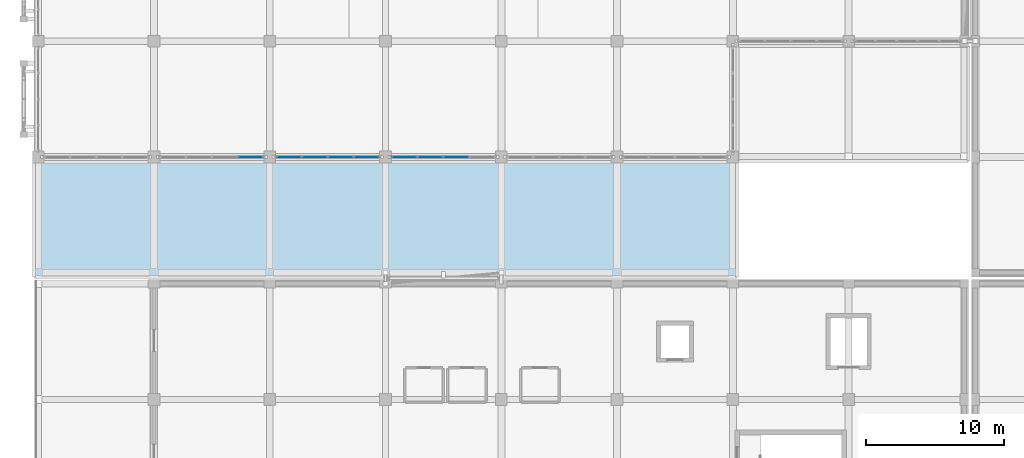
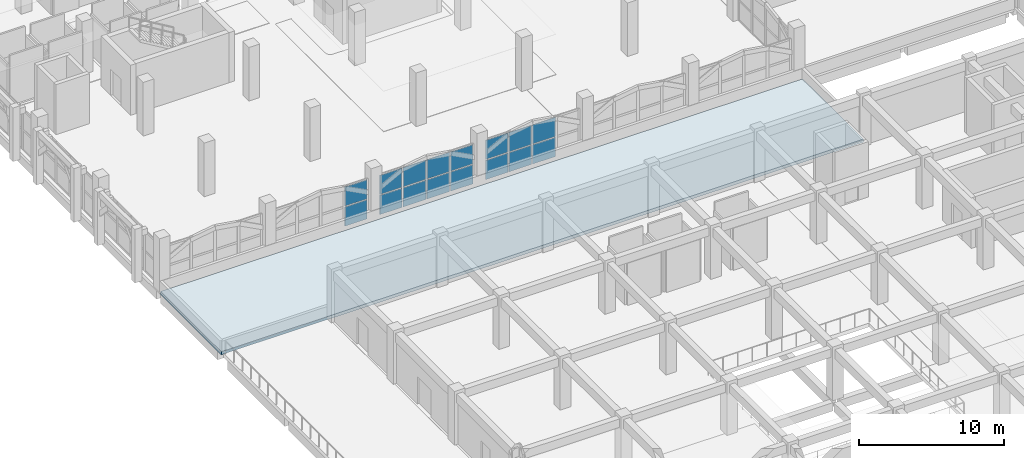
# One storey, part 86 of 129: 16 plates, 1 slab, 3 elements without a shape of their own.
"""IFC4 building model written with IfcOpenShell, lengths in metres."""

from ifc_helpers import new_model, si_unit, direction, frame, origin, origin_2d, place, context, subcontext, project, spatial, polyline, rectangle, outline, extrude, material, layer, layer_set, type_object, element, aggregate, save


model = new_model("IFC4")

# Units and contexts
model_context = context("Model", 3, precision=1e-05, world=origin(), true_north=direction((0.0, 1.0)))
body_context = subcontext(model_context, "Body", "Model", "MODEL_VIEW")
ifc_project = project(units=[si_unit("LENGTHUNIT", "METRE"), si_unit("AREAUNIT", "SQUARE_METRE"), si_unit("VOLUMEUNIT", "CUBIC_METRE"), si_unit("PLANEANGLEUNIT", "RADIAN"), si_unit("MASSUNIT", "GRAM", prefix="KILO")], contexts=[model_context])

# Site, building, storey
site_placement = place(None, origin())
site = spatial("IfcSite", under=ifc_project, at=site_placement, CompositionType="ELEMENT")
building_placement = place(site_placement, origin())
building = spatial("IfcBuilding", under=site, at=building_placement, Name="Xazarin Passage Department Store", CompositionType="ELEMENT")
storey_placement = place(building_placement, frame((0.0, 0.0, 9.89990234375)))
storey = spatial("IfcBuildingStorey", under=building, at=storey_placement, Name="L02", CompositionType="ELEMENT", Elevation=9.89990234375)

# Curtain wall, plates
ifc_material_1 = material(Name="Bronze anodised aluminium", Category="aluminium")
ifc_layer_1 = layer(ifc_material_1, 0.199951171875)
ifc_layer_set_1 = layer_set([ifc_layer_1], Name="Bronze anodised aluminium")
curtain_wall_type = type_object("IfcCurtainWallType", Name="ARC-CW-VIT2", PredefinedType="NOTDEFINED", material=ifc_layer_set_1)
curtain_wall_1_placement = place(storey_placement, origin())
curtain_wall_1 = element("IfcCurtainWall", 1, at=curtain_wall_1_placement, inside=storey, type_object=curtain_wall_type, Name="L02 V1 Curtain Wall 030", PredefinedType="NOTDEFINED")
ifc_material_2 = material(Name="Low-E laminated safety glass", Category="glass")
ifc_layer_2 = layer(ifc_material_2, 0.031982421875)
ifc_layer_set_2 = layer_set([ifc_layer_2], Name="Low-E laminated safety glass")
plate_type = type_object("IfcPlateType", Name="ARC-CWP-GLZ32", PredefinedType="CURTAIN_PANEL", material=ifc_layer_set_2)
plate_1_placement = place(storey_placement, frame((15.41259765625, 59.60009765625, 0.0751953125), z_axis=(0.0, 0.0, 1.0), x_axis=(1.0, 0.0, 0.0)))
plate_1 = element("IfcPlate", 2, at=plate_1_placement, type_object=plate_type, Name="CW2 panel 4.1", PredefinedType="CURTAIN_PANEL", context=body_context, shape_type="SweptSolid", body=[
    extrude(rectangle(XDim=1.77490234375, YDim=0.031982421875, at=origin_2d()), origin(), (0.0, 0.0, 1.0), 1.612548828125),
])
plate_2_placement = place(storey_placement, frame((15.41259765625, 59.60009765625, 1.7626953125), z_axis=(0.0, 0.0, 1.0), x_axis=(1.0, 0.0, 0.0)))
plate_2 = element("IfcPlate", 3, at=plate_2_placement, type_object=plate_type, Name="CW2 panel 4.2", PredefinedType="CURTAIN_PANEL", context=body_context, shape_type="SweptSolid", body=[
    extrude(rectangle(XDim=1.77490234375, YDim=0.031982421875, at=origin_2d()), origin(), (0.0, 0.0, 1.0), 1.612548828125),
])
aggregate(curtain_wall_1, [plate_1, plate_2])

curtain_wall_2_placement = place(storey_placement, origin())
curtain_wall_2 = element("IfcCurtainWall", 4, at=curtain_wall_2_placement, inside=storey, type_object=curtain_wall_type, Name="L02 V1 Curtain Wall 031", PredefinedType="NOTDEFINED")
plate_3_placement = place(storey_placement, frame((18.1875, 59.60009765625, 0.0751953125), z_axis=(0.0, 0.0, 1.0), x_axis=(1.0, 0.0, 0.0)))
plate_3 = element("IfcPlate", 5, at=plate_3_placement, type_object=plate_type, Name="CW2 panel 1.1", PredefinedType="CURTAIN_PANEL", context=body_context, shape_type="SweptSolid", body=[
    extrude(rectangle(XDim=1.77490234375, YDim=0.031982421875, at=origin_2d()), origin(), (0.0, 0.0, 1.0), 1.612548828125),
])
plate_4_placement = place(storey_placement, frame((18.1875, 59.60009765625, 1.7626953125), z_axis=(0.0, 0.0, 1.0), x_axis=(1.0, 0.0, 0.0)))
plate_4 = element("IfcPlate", 6, at=plate_4_placement, type_object=plate_type, Name="CW2 panel 1.2", PredefinedType="CURTAIN_PANEL", context=body_context, shape_type="SweptSolid", body=[
    extrude(rectangle(XDim=1.77490234375, YDim=0.031982421875, at=origin_2d()), origin(), (0.0, 0.0, 1.0), 1.612548828125),
])
plate_5_placement = place(storey_placement, frame((20.05615234375, 59.60009765625, 0.0751953125), z_axis=(0.0, 0.0, 1.0), x_axis=(1.0, 0.0, 0.0)))
plate_5 = element("IfcPlate", 7, at=plate_5_placement, type_object=plate_type, Name="CW2 panel 2.1", PredefinedType="CURTAIN_PANEL", context=body_context, shape_type="SweptSolid", body=[
    extrude(rectangle(XDim=1.8125, YDim=0.031982421875, at=origin_2d()), origin(), (0.0, 0.0, 1.0), 1.612548828125),
])
plate_6_placement = place(storey_placement, frame((20.05615234375, 59.60009765625, 1.7626953125), z_axis=(0.0, 0.0, 1.0), x_axis=(1.0, 0.0, 0.0)))
plate_6 = element("IfcPlate", 8, at=plate_6_placement, type_object=plate_type, Name="CW2 panel 2.2", PredefinedType="CURTAIN_PANEL", context=body_context, shape_type="SweptSolid", body=[
    extrude(rectangle(XDim=1.8125, YDim=0.031982421875, at=origin_2d()), origin(), (0.0, 0.0, 1.0), 1.612548828125),
])
plate_7_placement = place(storey_placement, frame((21.94384765625, 59.60009765625, 0.0751953125), z_axis=(0.0, 0.0, 1.0), x_axis=(1.0, 0.0, 0.0)))
plate_7 = element("IfcPlate", 9, at=plate_7_placement, type_object=plate_type, Name="CW2 panel 3.1", PredefinedType="CURTAIN_PANEL", context=body_context, shape_type="SweptSolid", body=[
    extrude(rectangle(XDim=1.8125, YDim=0.031982421875, at=origin_2d()), origin(), (0.0, 0.0, 1.0), 1.612548828125),
])
plate_8_placement = place(storey_placement, frame((21.94384765625, 59.60009765625, 1.7626953125), z_axis=(0.0, 0.0, 1.0), x_axis=(1.0, 0.0, 0.0)))
plate_8 = element("IfcPlate", 10, at=plate_8_placement, type_object=plate_type, Name="CW2 panel 3.2", PredefinedType="CURTAIN_PANEL", context=body_context, shape_type="SweptSolid", body=[
    extrude(rectangle(XDim=1.8125, YDim=0.031982421875, at=origin_2d()), origin(), (0.0, 0.0, 1.0), 1.612548828125),
])
plate_9_placement = place(storey_placement, frame((23.8125, 59.60009765625, 0.0751953125), z_axis=(0.0, 0.0, 1.0), x_axis=(1.0, 0.0, 0.0)))
plate_9 = element("IfcPlate", 11, at=plate_9_placement, type_object=plate_type, Name="CW2 panel 4.1", PredefinedType="CURTAIN_PANEL", context=body_context, shape_type="SweptSolid", body=[
    extrude(rectangle(XDim=1.77490234375, YDim=0.031982421875, at=origin_2d()), origin(), (0.0, 0.0, 1.0), 1.612548828125),
])
plate_10_placement = place(storey_placement, frame((23.8125, 59.60009765625, 1.7626953125), z_axis=(0.0, 0.0, 1.0), x_axis=(1.0, 0.0, 0.0)))
plate_10 = element("IfcPlate", 12, at=plate_10_placement, type_object=plate_type, Name="CW2 panel 4.2", PredefinedType="CURTAIN_PANEL", context=body_context, shape_type="SweptSolid", body=[
    extrude(rectangle(XDim=1.77490234375, YDim=0.031982421875, at=origin_2d()), origin(), (0.0, 0.0, 1.0), 1.612548828125),
])
aggregate(curtain_wall_2, [plate_3, plate_4, plate_5, plate_6, plate_7, plate_8, plate_9, plate_10])

curtain_wall_3_placement = place(storey_placement, origin())
curtain_wall_3 = element("IfcCurtainWall", 13, at=curtain_wall_3_placement, inside=storey, type_object=curtain_wall_type, Name="L02 V1 Curtain Wall 032", PredefinedType="NOTDEFINED")
plate_11_placement = place(storey_placement, frame((26.58740234375, 59.60009765625, 0.0751953125), z_axis=(0.0, 0.0, 1.0), x_axis=(1.0, 0.0, 0.0)))
plate_11 = element("IfcPlate", 14, at=plate_11_placement, type_object=plate_type, Name="CW2 panel 1.1", PredefinedType="CURTAIN_PANEL", context=body_context, shape_type="SweptSolid", body=[
    extrude(rectangle(XDim=1.77490234375, YDim=0.031982421875, at=origin_2d()), origin(), (0.0, 0.0, 1.0), 1.612548828125),
])
plate_12_placement = place(storey_placement, frame((26.58740234375, 59.60009765625, 1.7626953125), z_axis=(0.0, 0.0, 1.0), x_axis=(1.0, 0.0, 0.0)))
plate_12 = element("IfcPlate", 15, at=plate_12_placement, type_object=plate_type, Name="CW2 panel 1.2", PredefinedType="CURTAIN_PANEL", context=body_context, shape_type="SweptSolid", body=[
    extrude(rectangle(XDim=1.77490234375, YDim=0.031982421875, at=origin_2d()), origin(), (0.0, 0.0, 1.0), 1.612548828125),
])
plate_13_placement = place(storey_placement, frame((28.456298828125, 59.60009765625, 0.0751953125), z_axis=(0.0, 0.0, 1.0), x_axis=(1.0, 0.0, 0.0)))
plate_13 = element("IfcPlate", 16, at=plate_13_placement, type_object=plate_type, Name="CW2 panel 2.1", PredefinedType="CURTAIN_PANEL", context=body_context, shape_type="SweptSolid", body=[
    extrude(rectangle(XDim=1.8125, YDim=0.031982421875, at=origin_2d()), origin(), (0.0, 0.0, 1.0), 1.612548828125),
])
plate_14_placement = place(storey_placement, frame((28.456298828125, 59.60009765625, 1.7626953125), z_axis=(0.0, 0.0, 1.0), x_axis=(1.0, 0.0, 0.0)))
plate_14 = element("IfcPlate", 17, at=plate_14_placement, type_object=plate_type, Name="CW2 panel 2.2", PredefinedType="CURTAIN_PANEL", context=body_context, shape_type="SweptSolid", body=[
    extrude(rectangle(XDim=1.8125, YDim=0.031982421875, at=origin_2d()), origin(), (0.0, 0.0, 1.0), 1.612548828125),
])
plate_15_placement = place(storey_placement, frame((30.34375, 59.60009765625, 0.0751953125), z_axis=(0.0, 0.0, 1.0), x_axis=(1.0, 0.0, 0.0)))
plate_15 = element("IfcPlate", 18, at=plate_15_placement, type_object=plate_type, Name="CW2 panel 3.1", PredefinedType="CURTAIN_PANEL", context=body_context, shape_type="SweptSolid", body=[
    extrude(rectangle(XDim=1.8125, YDim=0.031982421875, at=origin_2d()), origin(), (0.0, 0.0, 1.0), 1.612548828125),
])
plate_16_placement = place(storey_placement, frame((30.34375, 59.60009765625, 1.7626953125), z_axis=(0.0, 0.0, 1.0), x_axis=(1.0, 0.0, 0.0)))
plate_16 = element("IfcPlate", 19, at=plate_16_placement, type_object=plate_type, Name="CW2 panel 3.2", PredefinedType="CURTAIN_PANEL", context=body_context, shape_type="SweptSolid", body=[
    extrude(rectangle(XDim=1.8125, YDim=0.031982421875, at=origin_2d()), origin(), (0.0, 0.0, 1.0), 1.612548828125),
])
aggregate(curtain_wall_3, [plate_11, plate_12, plate_13, plate_14, plate_15, plate_16])

# Slab
ifc_material_3 = material(Name="Concrete C35/45", Category="concrete")
ifc_layer_3 = layer(ifc_material_3, 0.260009765625)
ifc_layer_set_3 = layer_set([ifc_layer_3], Name="Concrete C35/45")
slab_type = type_object("IfcSlabType", Name="STR-SLB-RF260", PredefinedType="ROOF", material=ifc_layer_set_3)
slab_placement = place(storey_placement, frame((0.0, 0.0, -0.260009765625)))
element("IfcSlab", 20, at=slab_placement, inside=storey, type_object=slab_type, Name="L02 V1 Setback Roof Slab 2", PredefinedType="ROOF", context=body_context, shape_type="SweptSolid", body=[
    extrude(outline(polyline([(50.699951171875, 59.25), (-0.300048828125, 59.25), (-0.300048828125, 50.89990234375), (50.699951171875, 50.89990234375), (50.699951171875, 59.25)])), origin(), (0.0, 0.0, 1.0), 0.260009765625),
])

save(model, "model.ifc")
